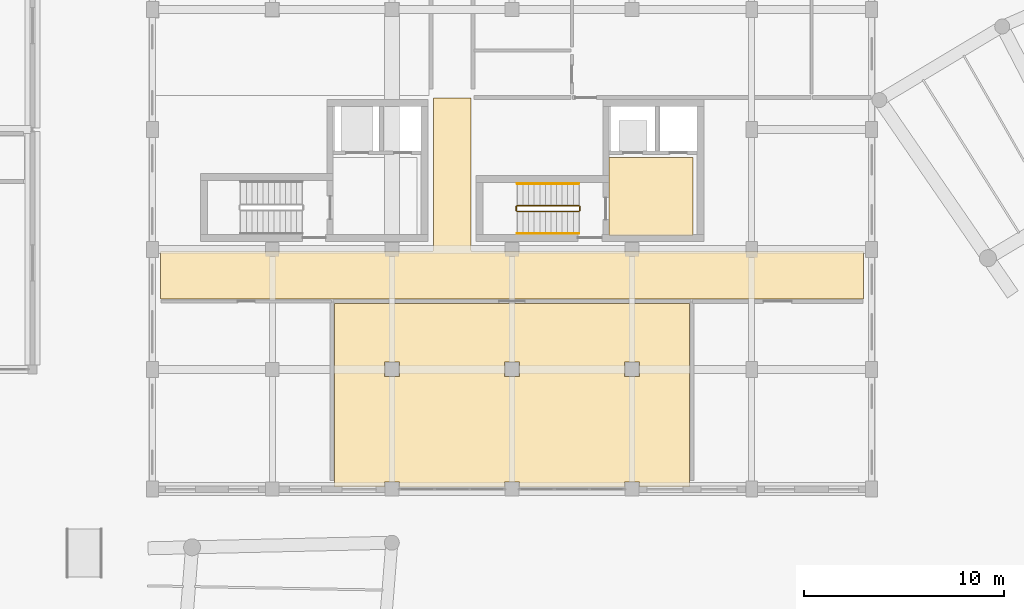
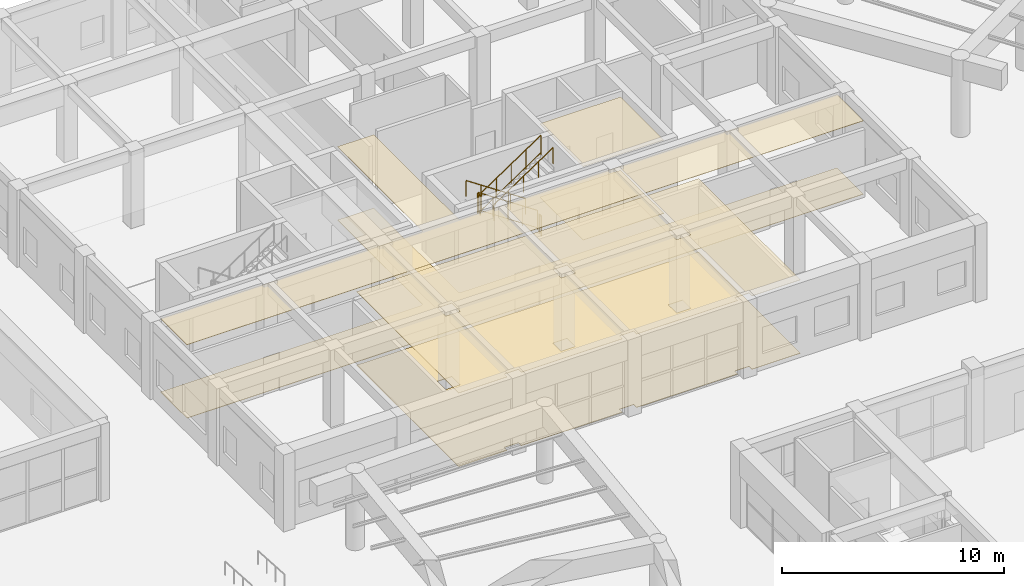
# One storey, part 73 of 76: 6 coverings, 6 railings.
"""IFC4 building model written with IfcOpenShell, lengths in metres."""

from ifc_helpers import new_model, si_unit, direction, frame, origin, origin_2d, place, context, subcontext, project, spatial, polyline, circle, outline, extrude, material, layer, layer_set, type_object, element, save


model = new_model("IFC4")

# Units and contexts
model_context = context("Model", 3, precision=1e-05, world=origin(), true_north=direction((0.0, 1.0)))
body_context = subcontext(model_context, "Body", "Model", "MODEL_VIEW")
ifc_project = project(units=[si_unit("LENGTHUNIT", "METRE"), si_unit("AREAUNIT", "SQUARE_METRE"), si_unit("VOLUMEUNIT", "CUBIC_METRE"), si_unit("PLANEANGLEUNIT", "RADIAN"), si_unit("MASSUNIT", "GRAM", prefix="KILO"), si_unit("POWERUNIT", "WATT"), si_unit("THERMODYNAMICTEMPERATUREUNIT", "KELVIN")], contexts=[model_context])

# Site, building, storey
site_placement = place(None, origin())
site = spatial("IfcSite", under=ifc_project, at=site_placement, CompositionType="ELEMENT")
building_placement = place(site_placement, origin())
building = spatial("IfcBuilding", under=site, at=building_placement, Name="Ruvembo Vaulted Housing Court", CompositionType="ELEMENT")
storey_placement = place(building_placement, origin())
storey = spatial("IfcBuildingStorey", under=building, at=storey_placement, Name="L00", CompositionType="ELEMENT", Elevation=0.0)

# Coverings
ifc_material_1 = material(Name="Perforated Mineral-Fibre Acoustic Tile", Category="gypsum")
ifc_layer_1 = layer(ifc_material_1, 0.02001953125, Name="Perforated Mineral-Fibre Acoustic Tile")
ifc_layer_set_1 = layer_set([ifc_layer_1], Name="Perforated Mineral-Fibre Acoustic Tile")
covering_type_1 = type_object("IfcCoveringType", Name="COV-CEIL-ACOUST", PredefinedType="CEILING", material=ifc_layer_set_1)
covering_1_placement = place(storey_placement, frame((0.0, 0.0, 4.034912109375)))
element("IfcCovering", 1, at=covering_1_placement, inside=storey, type_object=covering_type_1, Name="Protected Core Lobby B2 Ceiling", PredefinedType="CEILING", context=body_context, shape_type="SweptSolid", body=[
    extrude(outline(polyline([(70.85009765625, 94.60009765625), (70.85009765625, 90.699951171875), (75.050048828125, 90.699951171875), (75.050048828125, 94.60009765625), (70.85009765625, 94.60009765625)])), origin(), (0.0, 0.0, 1.0), 0.02001953125),
])
covering_2_placement = place(storey_placement, frame((0.0, 0.0, 4.034912109375)))
element("IfcCovering", 2, at=covering_2_placement, inside=storey, type_object=covering_type_1, Name="Block B L00 Corridor Ceiling", PredefinedType="CEILING", context=body_context, shape_type="SweptSolid", body=[
    extrude(outline(polyline([(61.949951171875, 89.889892578125), (48.409912109375, 89.889892578125), (48.409912109375, 87.510009765625), (83.590087890625, 87.510009765625), (83.590087890625, 89.889892578125), (64.050048828125, 89.889892578125), (64.039306640625, 89.890380859375), (64.028564453125, 89.89208984375), (64.01806640625, 89.894775390625), (64.0078125, 89.8984375), (63.998046875, 89.903076171875), (63.989013671875, 89.908447265625), (63.980224609375, 89.9150390625), (63.97216796875, 89.922119140625), (63.965087890625, 89.93017578125), (63.95849609375, 89.93896484375), (63.952880859375, 89.947998046875), (63.948486328125, 89.9580078125), (63.944580078125, 89.968017578125), (63.942138671875, 89.978515625), (63.9404296875, 89.9892578125), (63.93994140625, 90.0), (63.93994140625, 97.590087890625), (62.06005859375, 97.590087890625), (62.06005859375, 90.0), (62.0595703125, 89.9892578125), (62.057861328125, 89.978515625), (62.055419921875, 89.968017578125), (62.051513671875, 89.9580078125), (62.047119140625, 89.947998046875), (62.04150390625, 89.93896484375), (62.034912109375, 89.93017578125), (62.02783203125, 89.922119140625), (62.019775390625, 89.9150390625), (62.010986328125, 89.908447265625), (62.001953125, 89.903076171875), (61.9921875, 89.8984375), (61.98193359375, 89.894775390625), (61.971435546875, 89.89208984375), (61.960693359375, 89.890380859375), (61.949951171875, 89.889892578125)])), origin(), (0.0, 0.0, 1.0), 0.02001953125),
])
covering_3_placement = place(storey_placement, frame((0.0, 0.0, 4.034912109375)))
element("IfcCovering", 3, at=covering_3_placement, inside=storey, type_object=covering_type_1, Name="Block B Courtyard Entrance Lobby Ceiling", PredefinedType="CEILING", context=body_context, shape_type="SweptSolid", body=[
    extrude(outline(polyline([(71.6298828125, 78.3701171875), (72.3701171875, 78.3701171875), (72.3701171875, 78.110107421875), (74.889892578125, 78.110107421875), (74.889892578125, 87.2900390625), (57.110107421875, 87.2900390625), (57.110107421875, 78.110107421875), (59.6298828125, 78.110107421875), (59.6298828125, 78.3701171875), (60.3701171875, 78.3701171875), (60.3701171875, 78.110107421875), (65.6298828125, 78.110107421875), (65.6298828125, 78.3701171875), (66.3701171875, 78.3701171875), (66.3701171875, 78.110107421875), (71.6298828125, 78.110107421875), (71.6298828125, 78.3701171875)]), holes=[polyline([(60.3701171875, 83.6298828125), (60.3701171875, 84.3701171875), (59.6298828125, 84.3701171875), (59.6298828125, 83.6298828125), (60.3701171875, 83.6298828125)]), polyline([(65.6298828125, 83.6298828125), (66.3701171875, 83.6298828125), (66.3701171875, 84.3701171875), (65.6298828125, 84.3701171875), (65.6298828125, 83.6298828125)]), polyline([(71.6298828125, 83.6298828125), (72.3701171875, 83.6298828125), (72.3701171875, 84.3701171875), (71.6298828125, 84.3701171875), (71.6298828125, 83.6298828125)])]), origin(), (0.0, 0.0, 1.0), 0.02001953125),
])
ifc_material_2 = material(Name="Polished Cement-Aggregate Terrazzo", Category="stone")
ifc_layer_2 = layer(ifc_material_2, 0.02197265625, Name="Polished Cement-Aggregate Terrazzo")
ifc_layer_set_2 = layer_set([ifc_layer_2], Name="Polished Cement-Aggregate Terrazzo")
covering_type_2 = type_object("IfcCoveringType", Name="COV-FLR-CERAMIC", PredefinedType="FLOORING", material=ifc_layer_set_2)
covering_4_placement = place(storey_placement, origin())
element("IfcCovering", 4, at=covering_4_placement, inside=storey, type_object=covering_type_2, Name="Protected Core Lobby B2 Flooring", PredefinedType="FLOORING", context=body_context, shape_type="SweptSolid", body=[
    extrude(outline(polyline([(70.85009765625, 94.60009765625), (70.85009765625, 90.699951171875), (75.050048828125, 90.699951171875), (75.050048828125, 94.60009765625), (70.85009765625, 94.60009765625)])), origin(), (0.0, 0.0, 1.0), 0.02197265625),
])
covering_5_placement = place(storey_placement, origin())
element("IfcCovering", 5, at=covering_5_placement, inside=storey, type_object=covering_type_2, Name="Block B L00 Corridor Flooring", PredefinedType="FLOORING", context=body_context, shape_type="SweptSolid", body=[
    extrude(outline(polyline([(61.949951171875, 89.889892578125), (48.409912109375, 89.889892578125), (48.409912109375, 87.510009765625), (83.590087890625, 87.510009765625), (83.590087890625, 89.889892578125), (64.050048828125, 89.889892578125), (64.039306640625, 89.890380859375), (64.028564453125, 89.89208984375), (64.01806640625, 89.894775390625), (64.0078125, 89.8984375), (63.998046875, 89.903076171875), (63.989013671875, 89.908447265625), (63.980224609375, 89.9150390625), (63.97216796875, 89.922119140625), (63.965087890625, 89.93017578125), (63.95849609375, 89.93896484375), (63.952880859375, 89.947998046875), (63.948486328125, 89.9580078125), (63.944580078125, 89.968017578125), (63.942138671875, 89.978515625), (63.9404296875, 89.9892578125), (63.93994140625, 90.0), (63.93994140625, 97.590087890625), (62.06005859375, 97.590087890625), (62.06005859375, 90.0), (62.0595703125, 89.9892578125), (62.057861328125, 89.978515625), (62.055419921875, 89.968017578125), (62.051513671875, 89.9580078125), (62.047119140625, 89.947998046875), (62.04150390625, 89.93896484375), (62.034912109375, 89.93017578125), (62.02783203125, 89.922119140625), (62.019775390625, 89.9150390625), (62.010986328125, 89.908447265625), (62.001953125, 89.903076171875), (61.9921875, 89.8984375), (61.98193359375, 89.894775390625), (61.971435546875, 89.89208984375), (61.960693359375, 89.890380859375), (61.949951171875, 89.889892578125)])), origin(), (0.0, 0.0, 1.0), 0.02197265625),
])
covering_6_placement = place(storey_placement, origin())
element("IfcCovering", 6, at=covering_6_placement, inside=storey, type_object=covering_type_2, Name="Block B Courtyard Entrance Lobby Flooring", PredefinedType="FLOORING", context=body_context, shape_type="SweptSolid", body=[
    extrude(outline(polyline([(71.6298828125, 78.3701171875), (72.3701171875, 78.3701171875), (72.3701171875, 78.110107421875), (74.889892578125, 78.110107421875), (74.889892578125, 87.2900390625), (57.110107421875, 87.2900390625), (57.110107421875, 78.110107421875), (59.6298828125, 78.110107421875), (59.6298828125, 78.3701171875), (60.3701171875, 78.3701171875), (60.3701171875, 78.110107421875), (65.6298828125, 78.110107421875), (65.6298828125, 78.3701171875), (66.3701171875, 78.3701171875), (66.3701171875, 78.110107421875), (71.6298828125, 78.110107421875), (71.6298828125, 78.3701171875)]), holes=[polyline([(60.3701171875, 83.6298828125), (60.3701171875, 84.3701171875), (59.6298828125, 84.3701171875), (59.6298828125, 83.6298828125), (60.3701171875, 83.6298828125)]), polyline([(65.6298828125, 83.6298828125), (66.3701171875, 83.6298828125), (66.3701171875, 84.3701171875), (65.6298828125, 84.3701171875), (65.6298828125, 83.6298828125)]), polyline([(71.6298828125, 83.6298828125), (72.3701171875, 83.6298828125), (72.3701171875, 84.3701171875), (71.6298828125, 84.3701171875), (71.6298828125, 83.6298828125)])]), origin(), (0.0, 0.0, 1.0), 0.02197265625),
])

# Railings
ifc_material_3 = material(Name="Painted Galvanised Steel S275", Category="steel")
ifc_layer_3 = layer(ifc_material_3, 0.06005859375, Name="Painted Galvanised Steel S275")
ifc_layer_set_3 = layer_set([ifc_layer_3], Name="Painted Galvanised Steel S275")
railing_type_1 = type_object("IfcRailingType", Name="RL-STAIR-GR1100", PredefinedType="GUARDRAIL", material=ifc_layer_set_3)
railing_1_placement = place(storey_placement, frame((69.35009765625, 92.199951171875, 0.1875)))
element("IfcRailing", 7, at=railing_1_placement, inside=storey, type_object=railing_type_1, Name="L00 ST-B2 stair guard 1", PredefinedType="GUARDRAIL", context=body_context, shape_type="SweptSolid", body=[
    extrude(circle(Radius=0.02392578125, at=origin_2d()), frame((0.0, 0.0, 1.076171875), z_axis=(-0.830913701846, 0.0, 0.55640131208), x_axis=(0.0, -1.0, 0.0)), (0.0, 0.0, 1.0), 3.706787109375),
    extrude(circle(Radius=0.01806640625, at=origin_2d()), frame((0.0, 0.0, 0.1201171875), z_axis=(-0.830913701846, 0.0, 0.55640131208), x_axis=(0.0, -1.0, 0.0)), (0.0, 0.0, 1.0), 3.706787109375),
    extrude(circle(Radius=0.02099609375, at=origin_2d()), origin(), (0.0, 0.0, 1.0), 1.052001953125),
    extrude(circle(Radius=0.02099609375, at=origin_2d()), frame((-0.77001953125, 0.0, 0.515625)), (0.0, 0.0, 1.0), 1.052001953125),
    extrude(circle(Radius=0.02099609375, at=origin_2d()), frame((-1.5400390625, 0.0, 1.03125)), (0.0, 0.0, 1.0), 1.052001953125),
    extrude(circle(Radius=0.02099609375, at=origin_2d()), frame((-2.31005859375, 0.0, 1.546875)), (0.0, 0.0, 1.0), 1.052001953125),
    extrude(circle(Radius=0.02099609375, at=origin_2d()), frame((-3.080078125, 0.0, 2.0625)), (0.0, 0.0, 1.0), 1.052001953125),
])
railing_2_placement = place(storey_placement, frame((66.219970703125, 92.14990234375, 2.25)))
element("IfcRailing", 8, at=railing_2_placement, inside=storey, type_object=railing_type_1, Name="L00 ST-B2 stair guard 2", PredefinedType="GUARDRAIL", context=body_context, shape_type="SweptSolid", body=[
    extrude(circle(Radius=0.02392578125, at=origin_2d()), frame((0.0, 0.0, 1.076171875), z_axis=(0.0, -1.0, 0.0), x_axis=(1.0, 0.0, 0.0)), (0.0, 0.0, 1.0), 0.199951171875),
    extrude(circle(Radius=0.01806640625, at=origin_2d()), frame((0.0, 0.0, 0.1201171875), z_axis=(0.0, -1.0, 0.0), x_axis=(1.0, 0.0, 0.0)), (0.0, 0.0, 1.0), 0.199951171875),
    extrude(circle(Radius=0.02099609375, at=origin_2d()), origin(), (0.0, 0.0, 1.0), 1.052001953125),
    extrude(circle(Radius=0.02099609375, at=origin_2d()), frame((0.0, -0.199951171875, 0.0)), (0.0, 0.0, 1.0), 1.052001953125),
])
railing_3_placement = place(storey_placement, frame((66.27001953125, 91.89990234375, 2.4375)))
element("IfcRailing", 9, at=railing_3_placement, inside=storey, type_object=railing_type_1, Name="L00 ST-B2 stair guard 3", PredefinedType="GUARDRAIL", context=body_context, shape_type="SweptSolid", body=[
    extrude(circle(Radius=0.02392578125, at=origin_2d()), frame((0.0, 0.0, 1.076171875), z_axis=(0.830913701846, 0.0, 0.55640131208), x_axis=(0.0, 1.0, 0.0)), (0.0, 0.0, 1.0), 3.706787109375),
    extrude(circle(Radius=0.01806640625, at=origin_2d()), frame((0.0, 0.0, 0.1201171875), z_axis=(0.830913701846, 0.0, 0.55640131208), x_axis=(0.0, 1.0, 0.0)), (0.0, 0.0, 1.0), 3.706787109375),
    extrude(circle(Radius=0.02099609375, at=origin_2d()), origin(), (0.0, 0.0, 1.0), 1.052001953125),
    extrude(circle(Radius=0.02099609375, at=origin_2d()), frame((0.77001953125, 0.0, 0.515625)), (0.0, 0.0, 1.0), 1.052001953125),
    extrude(circle(Radius=0.02099609375, at=origin_2d()), frame((1.5400390625, 0.0, 1.03125)), (0.0, 0.0, 1.0), 1.052001953125),
    extrude(circle(Radius=0.02099609375, at=origin_2d()), frame((2.31005859375, 0.0, 1.546875)), (0.0, 0.0, 1.0), 1.052001953125),
    extrude(circle(Radius=0.02099609375, at=origin_2d()), frame((3.080078125, 0.0, 2.0625)), (0.0, 0.0, 1.0), 1.052001953125),
])
railing_4_placement = place(storey_placement, frame((69.39990234375, 92.14990234375, 0.0)))
element("IfcRailing", 10, at=railing_4_placement, inside=storey, type_object=railing_type_1, Name="L00 ST-B2 stair guard 4", PredefinedType="GUARDRAIL", context=body_context, shape_type="SweptSolid", body=[
    extrude(circle(Radius=0.02392578125, at=origin_2d()), frame((0.0, 0.0, 1.076171875), z_axis=(0.0, -1.0, 0.0), x_axis=(1.0, 0.0, 0.0)), (0.0, 0.0, 1.0), 0.199951171875),
    extrude(circle(Radius=0.01806640625, at=origin_2d()), frame((0.0, 0.0, 0.1201171875), z_axis=(0.0, -1.0, 0.0), x_axis=(1.0, 0.0, 0.0)), (0.0, 0.0, 1.0), 0.199951171875),
    extrude(circle(Radius=0.02099609375, at=origin_2d()), origin(), (0.0, 0.0, 1.0), 1.052001953125),
    extrude(circle(Radius=0.02099609375, at=origin_2d()), frame((0.0, -0.199951171875, 0.0)), (0.0, 0.0, 1.0), 1.052001953125),
])
ifc_material_4 = material(Name="Brushed Stainless Steel 304", Category="steel")
ifc_layer_4 = layer(ifc_material_4, 0.050048828125, Name="Brushed Stainless Steel 304")
ifc_layer_set_4 = layer_set([ifc_layer_4], Name="Brushed Stainless Steel 304")
railing_type_2 = type_object("IfcRailingType", Name="RL-STAIR-HR920", PredefinedType="HANDRAIL", material=ifc_layer_set_4)
railing_5_placement = place(storey_placement, frame((69.35009765625, 93.300048828125, 0.379150390625)))
element("IfcRailing", 11, at=railing_5_placement, inside=storey, type_object=railing_type_2, Name="L00 ST-B2 stair handrail 1", PredefinedType="HANDRAIL", context=body_context, shape_type="SweptSolid", body=[
    extrude(circle(Radius=0.02392578125, at=origin_2d()), frame((0.0, 0.0, 0.8759765625), z_axis=(-0.830913701846, 0.0, 0.55640131208), x_axis=(0.0, -1.0, 0.0)), (0.0, 0.0, 1.0), 3.706787109375),
    extrude(circle(Radius=0.02099609375, at=origin_2d()), origin(), (0.0, 0.0, 1.0), 0.851806640625),
    extrude(circle(Radius=0.02099609375, at=origin_2d()), frame((-0.77001953125, 0.0, 0.515625)), (0.0, 0.0, 1.0), 0.851806640625),
    extrude(circle(Radius=0.02099609375, at=origin_2d()), frame((-1.5400390625, 0.0, 1.03125)), (0.0, 0.0, 1.0), 0.851806640625),
    extrude(circle(Radius=0.02099609375, at=origin_2d()), frame((-2.31005859375, 0.0, 1.546875)), (0.0, 0.0, 1.0), 0.851806640625),
    extrude(circle(Radius=0.02099609375, at=origin_2d()), frame((-3.080078125, 0.0, 2.0625)), (0.0, 0.0, 1.0), 0.851806640625),
])
railing_6_placement = place(storey_placement, frame((66.27001953125, 90.800048828125, 2.629150390625)))
element("IfcRailing", 12, at=railing_6_placement, inside=storey, type_object=railing_type_2, Name="L00 ST-B2 stair handrail 2", PredefinedType="HANDRAIL", context=body_context, shape_type="SweptSolid", body=[
    extrude(circle(Radius=0.02392578125, at=origin_2d()), frame((0.0, 0.0, 0.8759765625), z_axis=(0.830913701846, 0.0, 0.55640131208), x_axis=(0.0, 1.0, 0.0)), (0.0, 0.0, 1.0), 3.706787109375),
    extrude(circle(Radius=0.02099609375, at=origin_2d()), origin(), (0.0, 0.0, 1.0), 0.851806640625),
    extrude(circle(Radius=0.02099609375, at=origin_2d()), frame((0.77001953125, 0.0, 0.515625)), (0.0, 0.0, 1.0), 0.851806640625),
    extrude(circle(Radius=0.02099609375, at=origin_2d()), frame((1.5400390625, 0.0, 1.03125)), (0.0, 0.0, 1.0), 0.851806640625),
    extrude(circle(Radius=0.02099609375, at=origin_2d()), frame((2.31005859375, 0.0, 1.546875)), (0.0, 0.0, 1.0), 0.851806640625),
    extrude(circle(Radius=0.02099609375, at=origin_2d()), frame((3.080078125, 0.0, 2.0625)), (0.0, 0.0, 1.0), 0.851806640625),
])

save(model, "model.ifc")
